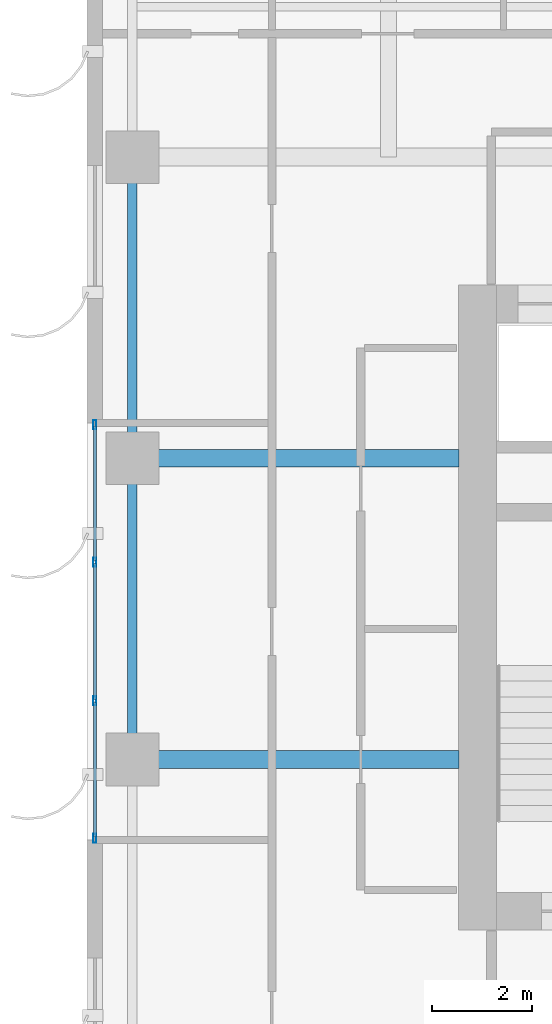
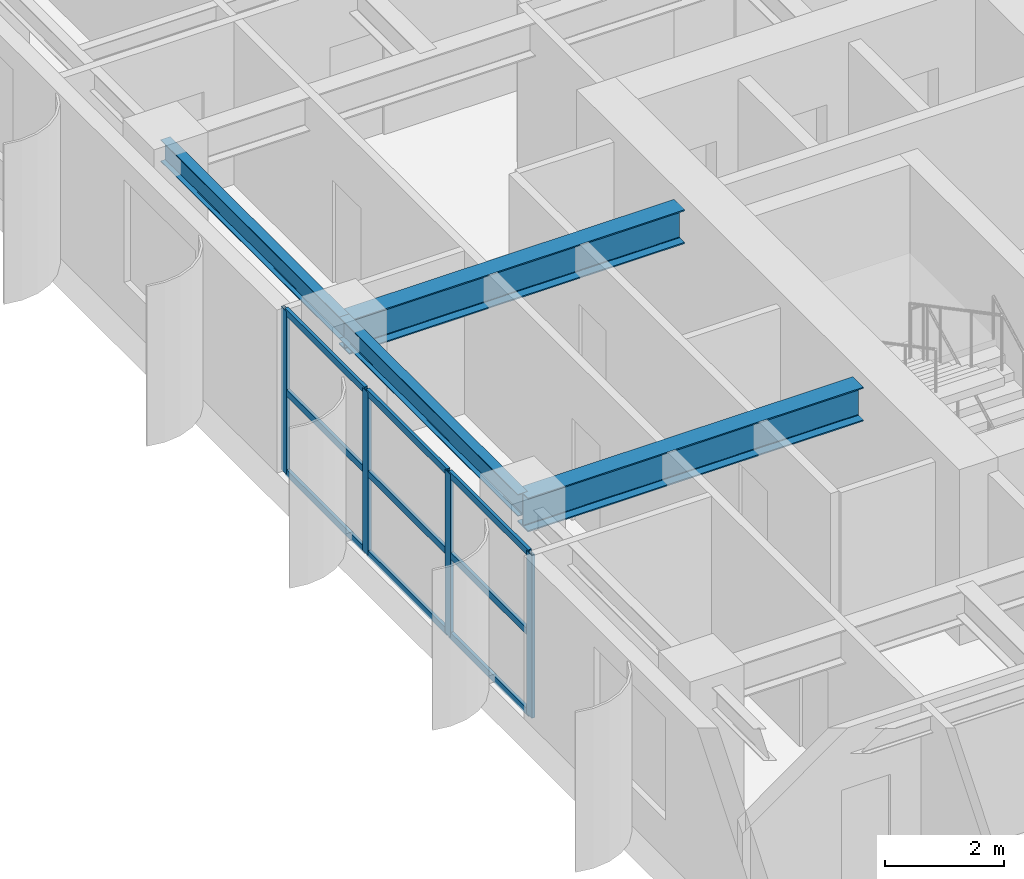
# One storey, part 7 of 23: 13 members, 4 beams, 1 element without a shape of its own.
"""IFC4 building model written with IfcOpenShell, lengths in metres."""

from ifc_helpers import new_model, si_unit, direction, frame, origin, origin_2d, place, context, subcontext, project, spatial, hollow_rectangle, i_section, extrude, source, transform, mapped, material, layer, layer_set, material_profile, profile_set, type_object, element, aggregate, save


model = new_model("IFC4")

# Units and contexts
model_context = context("Model", 3, precision=1e-05, world=origin(), true_north=direction((0.0, 1.0)))
body_context = subcontext(model_context, "Body", "Model", "MODEL_VIEW")
ifc_project = project(units=[si_unit("LENGTHUNIT", "METRE"), si_unit("AREAUNIT", "SQUARE_METRE"), si_unit("VOLUMEUNIT", "CUBIC_METRE"), si_unit("PLANEANGLEUNIT", "RADIAN"), si_unit("MASSUNIT", "GRAM", prefix="KILO")], contexts=[model_context])

# Site, building, storey
site_placement = place(None, origin())
site = spatial("IfcSite", under=ifc_project, at=site_placement, CompositionType="ELEMENT")
building_placement = place(site_placement, origin())
building = spatial("IfcBuilding", under=site, at=building_placement, Name="Khoralis Quay Care Tower", CompositionType="ELEMENT")
storey_placement = place(building_placement, frame((0.0, 0.0, 83.699951171875)))
storey = spatial("IfcBuildingStorey", under=building, at=storey_placement, Name="L21", CompositionType="ELEMENT", Elevation=83.699951171875)

# Beams
ifc_material_1 = material(Name="Steel S355", Category="steel")
ifc_material_profile_1 = material_profile(ifc_material_1, i_section(OverallWidth=0.18994140625, OverallDepth=0.449951171875, WebThickness=0.009521484375, FlangeThickness=0.0146484375, FilletRadius=0.02099609375, at=origin_2d()), Name="Steel S355")
ifc_profile_set_1 = profile_set([ifc_material_profile_1], Name="Steel S355")
beam_type_1 = type_object("IfcBeamType", Name="BM-IPE450", PredefinedType="SPANDREL", material=ifc_profile_set_1)
shared_shape_1 = source(origin(), body_context, "Body", "SweptSolid", [
    extrude(i_section(OverallWidth=0.18994140625, OverallDepth=0.449951171875, WebThickness=0.009521484375, FlangeThickness=0.0146484375, FilletRadius=0.02099609375, at=origin_2d()), origin(), (0.0, 0.0, 1.0), 6.0),
])
for number, where, z_axis, x_axis, name in (
    (1, (0.89990234375, 18.0, 3.114990234375), (0.0, 1.0, 0.0), (-1.0, 0.0, 0.0), "BM-TSP-L21-13"),
    (2, (0.89990234375, 24.0, 3.114990234375), (0.0, 1.0, 0.0), (-1.0, 0.0, 0.0), "BM-TSP-L21-14"),
):
    element("IfcBeam", number, at=place(storey_placement, frame(where, z_axis=z_axis, x_axis=x_axis)), inside=storey, type_object=beam_type_1, Name=name, PredefinedType="SPANDREL", context=body_context, shape_type="MappedRepresentation", body=[
        mapped(shared_shape_1, transform((0.0, 0.0, 0.0), scale=1.0)),
    ])
ifc_material_profile_2 = material_profile(ifc_material_1, i_section(OverallWidth=0.35498046875, OverallDepth=0.695068359375, WebThickness=0.015380859375, FlangeThickness=0.02490234375, FilletRadius=0.02001953125, at=origin_2d()), Name="Steel S355")
ifc_profile_set_2 = profile_set([ifc_material_profile_2], Name="Steel S355")
beam_type_2 = type_object("IfcBeamType", Name="BM-W690X217", PredefinedType="BEAM", material=ifc_profile_set_2)
shared_shape_2 = source(origin(), body_context, "Body", "SweptSolid", [
    extrude(i_section(OverallWidth=0.35498046875, OverallDepth=0.695068359375, WebThickness=0.015380859375, FlangeThickness=0.02490234375, FilletRadius=0.02001953125, at=origin_2d()), origin(), (0.0, 0.0, 1.0), 6.502197265625),
])
for number, where, z_axis, x_axis, name in (
    (3, (0.89990234375, 18.0, 2.992431640625), (1.0, 0.0, 0.0), (0.0, 1.0, 0.0), "BM-TGXW-L21-180"),
    (4, (0.89990234375, 24.0, 2.992431640625), (1.0, 0.0, 0.0), (0.0, 1.0, 0.0), "BM-TGXW-L21-240"),
):
    element("IfcBeam", number, at=place(storey_placement, frame(where, z_axis=z_axis, x_axis=x_axis)), inside=storey, type_object=beam_type_2, Name=name, PredefinedType="BEAM", context=body_context, shape_type="MappedRepresentation", body=[
        mapped(shared_shape_2, transform((0.0, 0.0, 0.0), scale=1.0)),
    ])

# Curtain wall, members
ifc_material_2 = material(Name="Pale anodised aluminium", Category="aluminium")
ifc_layer = layer(ifc_material_2, 0.169921875)
ifc_layer_set = layer_set([ifc_layer], Name="Pale anodised aluminium")
curtain_wall_type = type_object("IfcCurtainWallType", Name="CW-SYS-Z2", PredefinedType="NOTDEFINED", material=ifc_layer_set)
curtain_wall_placement = place(storey_placement, origin())
curtain_wall = element("IfcCurtainWall", 5, at=curtain_wall_placement, inside=storey, type_object=curtain_wall_type, Name="L21 Unitised Curtain Wall CW-L21-P1-E15", PredefinedType="NOTDEFINED")
ifc_material_profile_3 = material_profile(ifc_material_2, hollow_rectangle(XDim=0.06494140625, YDim=0.179931640625, WallThickness=0.00390625, at=origin_2d()), Name="Pale anodised aluminium")
ifc_profile_set_3 = profile_set([ifc_material_profile_3], Name="Pale anodised aluminium")
member_type_1 = type_object("IfcMemberType", Name="CW-MUL-180", PredefinedType="MULLION", material=ifc_profile_set_3)
shared_shape_3 = source(origin(), body_context, "Body", "SweptSolid", [
    extrude(hollow_rectangle(XDim=0.06494140625, YDim=0.179931640625, WallThickness=0.00390625, at=origin_2d()), origin(), (0.0, 0.0, 1.0), 3.340087890625),
])
member_1_placement = place(storey_placement, frame((0.14990234375, 24.669921875, 0.0), z_axis=(0.0, 0.0, 1.0), x_axis=(1.0, 0.0, 0.0)))
member_1 = element("IfcMember", 6, at=member_1_placement, type_object=member_type_1, Name="CW2 mullion 1", PredefinedType="MULLION", context=body_context, shape_type="MappedRepresentation", body=[
    mapped(shared_shape_3, transform((0.0, 0.0, 0.0), scale=1.0)),
])
member_2_placement = place(storey_placement, frame((0.14990234375, 21.933349609375, 0.0), z_axis=(0.0, 0.0, 1.0), x_axis=(1.0, 0.0, 0.0)))
member_2 = element("IfcMember", 7, at=member_2_placement, type_object=member_type_1, Name="CW2 mullion 2", PredefinedType="MULLION", context=body_context, shape_type="MappedRepresentation", body=[
    mapped(shared_shape_3, transform((0.0, 0.0, 0.0), scale=1.0)),
])
member_3_placement = place(storey_placement, frame((0.14990234375, 19.166748046875, 0.0), z_axis=(0.0, 0.0, 1.0), x_axis=(1.0, 0.0, 0.0)))
member_3 = element("IfcMember", 8, at=member_3_placement, type_object=member_type_1, Name="CW2 mullion 3", PredefinedType="MULLION", context=body_context, shape_type="MappedRepresentation", body=[
    mapped(shared_shape_3, transform((0.0, 0.0, 0.0), scale=1.0)),
])
member_4_placement = place(storey_placement, frame((0.14990234375, 16.429931640625, 0.0), z_axis=(0.0, 0.0, 1.0), x_axis=(1.0, 0.0, 0.0)))
member_4 = element("IfcMember", 9, at=member_4_placement, type_object=member_type_1, Name="CW2 mullion 4", PredefinedType="MULLION", context=body_context, shape_type="MappedRepresentation", body=[
    mapped(shared_shape_3, transform((0.0, 0.0, 0.0), scale=1.0)),
])
ifc_material_profile_4 = material_profile(ifc_material_2, hollow_rectangle(XDim=0.06005859375, YDim=0.139892578125, WallThickness=0.00390625, at=origin_2d()), Name="Pale anodised aluminium")
ifc_profile_set_4 = profile_set([ifc_material_profile_4], Name="Pale anodised aluminium")
member_type_2 = type_object("IfcMemberType", Name="CW-TRN-140", PredefinedType="USERDEFINED", material=ifc_profile_set_4)
shared_shape_4 = source(origin(), body_context, "Body", "SweptSolid", [
    extrude(hollow_rectangle(XDim=0.06005859375, YDim=0.139892578125, WallThickness=0.00390625, at=origin_2d()), origin(), (0.0, 0.0, 1.0), 2.6767578125),
])
member_5_placement = place(storey_placement, frame((0.14990234375, 19.13671875, 0.030029296875), z_axis=(0.0, -1.0, 0.0), x_axis=(1.0, 0.0, 0.0)))
member_5 = element("IfcMember", 10, at=member_5_placement, type_object=member_type_2, Name="CW2 transom 3.1", ObjectType="TRANSOM", PredefinedType="USERDEFINED", context=body_context, shape_type="MappedRepresentation", body=[
    mapped(shared_shape_4, transform((0.0, 0.0, 0.0), scale=1.0)),
])
member_6_placement = place(storey_placement, frame((0.14990234375, 19.13671875, 1.670166015625), z_axis=(0.0, -1.0, 0.0), x_axis=(1.0, 0.0, 0.0)))
member_6 = element("IfcMember", 11, at=member_6_placement, type_object=member_type_2, Name="CW2 transom 3.2", ObjectType="TRANSOM", PredefinedType="USERDEFINED", context=body_context, shape_type="MappedRepresentation", body=[
    mapped(shared_shape_4, transform((0.0, 0.0, 0.0), scale=1.0)),
])
member_7_placement = place(storey_placement, frame((0.14990234375, 19.13671875, 3.31005859375), z_axis=(0.0, -1.0, 0.0), x_axis=(1.0, 0.0, 0.0)))
member_7 = element("IfcMember", 12, at=member_7_placement, type_object=member_type_2, Name="CW2 transom 3.3", ObjectType="TRANSOM", PredefinedType="USERDEFINED", context=body_context, shape_type="MappedRepresentation", body=[
    mapped(shared_shape_4, transform((0.0, 0.0, 0.0), scale=1.0)),
])
shared_shape_5 = source(origin(), body_context, "Body", "SweptSolid", [
    extrude(hollow_rectangle(XDim=0.06005859375, YDim=0.139892578125, WallThickness=0.00390625, at=origin_2d()), origin(), (0.0, 0.0, 1.0), 2.70654296875),
])
member_8_placement = place(storey_placement, frame((0.14990234375, 21.9033203125, 0.030029296875), z_axis=(0.0, -1.0, 0.0), x_axis=(1.0, 0.0, 0.0)))
member_8 = element("IfcMember", 13, at=member_8_placement, type_object=member_type_2, Name="CW2 transom 2.1", ObjectType="TRANSOM", PredefinedType="USERDEFINED", context=body_context, shape_type="MappedRepresentation", body=[
    mapped(shared_shape_5, transform((0.0, 0.0, 0.0), scale=1.0)),
])
member_9_placement = place(storey_placement, frame((0.14990234375, 21.9033203125, 1.670166015625), z_axis=(0.0, -1.0, 0.0), x_axis=(1.0, 0.0, 0.0)))
member_9 = element("IfcMember", 14, at=member_9_placement, type_object=member_type_2, Name="CW2 transom 2.2", ObjectType="TRANSOM", PredefinedType="USERDEFINED", context=body_context, shape_type="MappedRepresentation", body=[
    mapped(shared_shape_5, transform((0.0, 0.0, 0.0), scale=1.0)),
])
member_10_placement = place(storey_placement, frame((0.14990234375, 21.9033203125, 3.31005859375), z_axis=(0.0, -1.0, 0.0), x_axis=(1.0, 0.0, 0.0)))
member_10 = element("IfcMember", 15, at=member_10_placement, type_object=member_type_2, Name="CW2 transom 2.3", ObjectType="TRANSOM", PredefinedType="USERDEFINED", context=body_context, shape_type="MappedRepresentation", body=[
    mapped(shared_shape_5, transform((0.0, 0.0, 0.0), scale=1.0)),
])
shared_shape_6 = source(origin(), body_context, "Body", "SweptSolid", [
    extrude(hollow_rectangle(XDim=0.06005859375, YDim=0.139892578125, WallThickness=0.00390625, at=origin_2d()), origin(), (0.0, 0.0, 1.0), 2.676513671875),
])
member_11_placement = place(storey_placement, frame((0.14990234375, 24.639892578125, 0.030029296875), z_axis=(0.0, -1.0, 0.0), x_axis=(1.0, 0.0, 0.0)))
member_11 = element("IfcMember", 16, at=member_11_placement, type_object=member_type_2, Name="CW2 transom 1.1", ObjectType="TRANSOM", PredefinedType="USERDEFINED", context=body_context, shape_type="MappedRepresentation", body=[
    mapped(shared_shape_6, transform((0.0, 0.0, 0.0), scale=1.0)),
])
member_12_placement = place(storey_placement, frame((0.14990234375, 24.639892578125, 1.670166015625), z_axis=(0.0, -1.0, 0.0), x_axis=(1.0, 0.0, 0.0)))
member_12 = element("IfcMember", 17, at=member_12_placement, type_object=member_type_2, Name="CW2 transom 1.2", ObjectType="TRANSOM", PredefinedType="USERDEFINED", context=body_context, shape_type="MappedRepresentation", body=[
    mapped(shared_shape_6, transform((0.0, 0.0, 0.0), scale=1.0)),
])
member_13_placement = place(storey_placement, frame((0.14990234375, 24.639892578125, 3.31005859375), z_axis=(0.0, -1.0, 0.0), x_axis=(1.0, 0.0, 0.0)))
member_13 = element("IfcMember", 18, at=member_13_placement, type_object=member_type_2, Name="CW2 transom 1.3", ObjectType="TRANSOM", PredefinedType="USERDEFINED", context=body_context, shape_type="MappedRepresentation", body=[
    mapped(shared_shape_6, transform((0.0, 0.0, 0.0), scale=1.0)),
])
aggregate(curtain_wall, [member_1, member_2, member_3, member_4, member_11, member_12, member_13, member_8, member_9, member_10, member_5, member_6, member_7])

save(model, "model.ifc")
